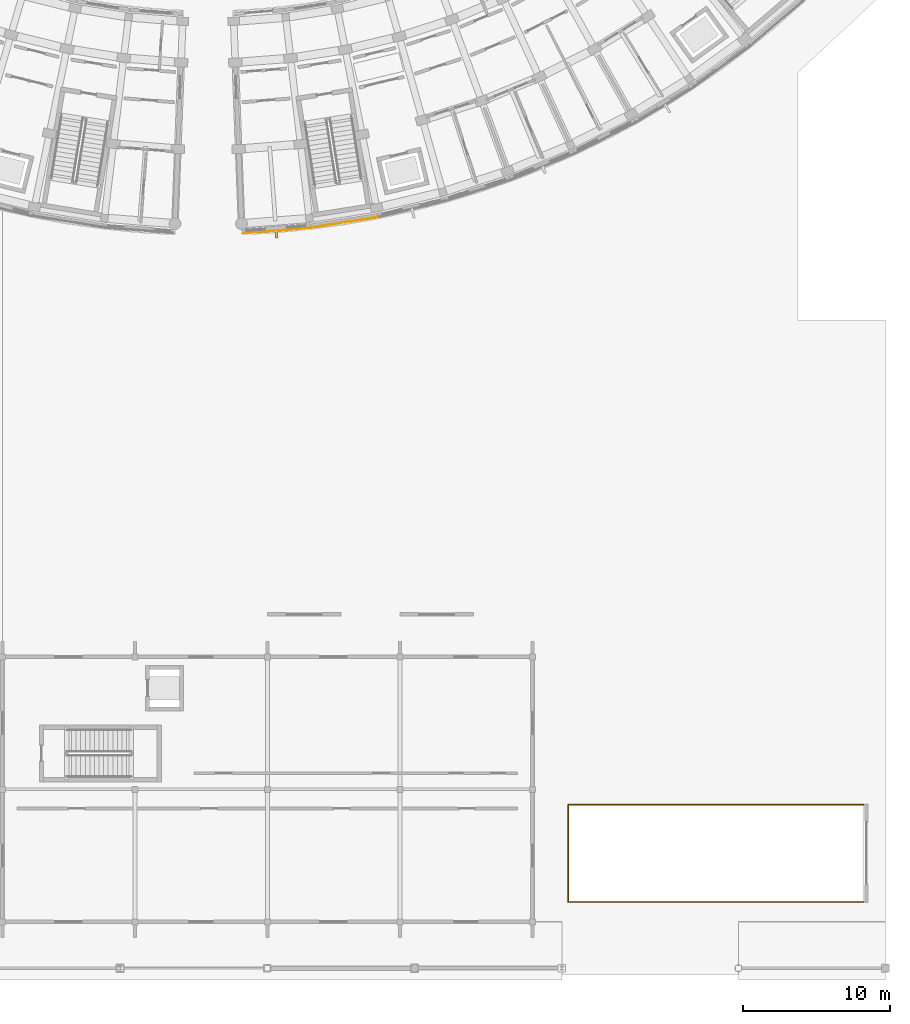
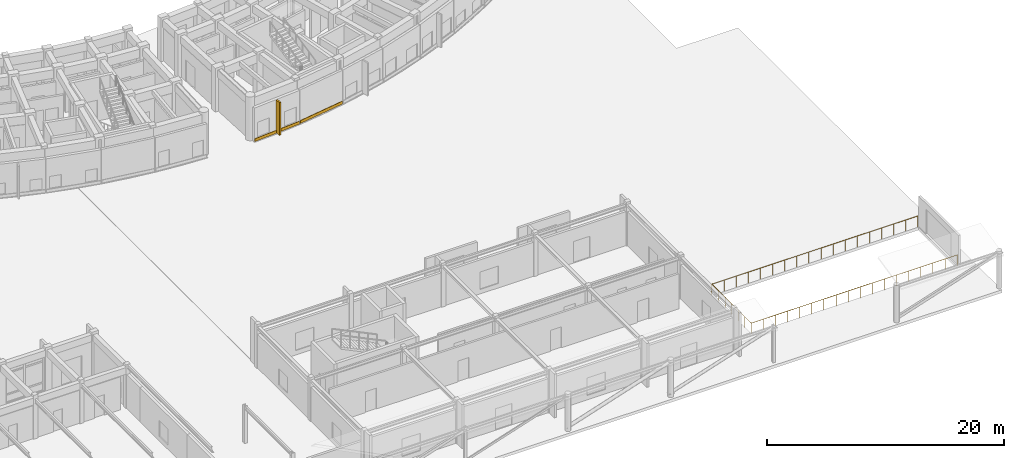
# One storey, part 58 of 61: 2 coverings, 1 railing, 1 shading device.
"""IFC4 building model written with IfcOpenShell, lengths in metres."""

import ifcopenshell
import ifcopenshell.guid

model = None  # the IFC model being written
_history = None  # IfcOwnerHistory: only IFC2X3 demands one
_inside = {}  # id of a spatial element -> (the spatial element, [elements in it])
_under = {}  # id of a project, library or spatial element -> (it, [spatial elements below it])
_declared = {}  # id of a project -> (the project, [libraries it declares])
_typed = {}  # id of a type object -> (the type object, [elements of that type])
_made_of = {}  # id of a material, layer set ... -> (it, [elements and type objects made of it])


def new_model(schema):
    """Start an empty IFC model of exactly this schema.

    Asked for "IFC4X3", IfcOpenShell would pick the latest addendum, in which some entities
    have other attributes; the version numbers below select the first issue.
    IFC2X3 requires an IfcOwnerHistory on every rooted entity: one is made here for all.
    """
    global model, _history
    if schema == "IFC4X3":
        model = ifcopenshell.file(schema_version=(4, 3, 0, 0))
    else:
        model = ifcopenshell.file(schema=schema)
    _inside.clear()
    _under.clear()
    _declared.clear()
    _typed.clear()
    _made_of.clear()
    _history = None
    if model.schema == "IFC2X3":
        org = make("IfcOrganization", Name="unknown")
        user = make(
            "IfcPersonAndOrganization",
            ThePerson=make("IfcPerson", FamilyName="unknown"),
            TheOrganization=org,
        )
        app = make(
            "IfcApplication",
            ApplicationDeveloper=org,
            Version="unknown",
            ApplicationFullName="unknown",
            ApplicationIdentifier="unknown",
        )
        _history = make(
            "IfcOwnerHistory",
            OwningUser=user,
            OwningApplication=app,
            ChangeAction="ADDED",
            CreationDate=0,
        )
    return model


def make(cls, **values):
    """One entity of the class cls with the attributes given. An attribute that is None is left unset."""
    return model.create_entity(
        cls, **{name: value for name, value in values.items() if value is not None}
    )


def rooted(cls, **values):
    """An entity with a GlobalId (a new one), such as an element, a storey or a relation."""
    return make(cls, GlobalId=ifcopenshell.guid.new(), OwnerHistory=_history, **values)


def si_unit(unit_type, name, prefix=None):
    """IfcSIUnit, for example si_unit("LENGTHUNIT", "METRE", prefix="MILLI")."""
    return make("IfcSIUnit", UnitType=unit_type, Prefix=prefix, Name=name)


def assignment(units):
    """IfcUnitAssignment: the units of a project."""
    return None if units is None else make("IfcUnitAssignment", Units=units)


def point(xyz):
    """IfcCartesianPoint."""
    return None if xyz is None else make("IfcCartesianPoint", Coordinates=xyz)


def direction(xyz):
    """IfcDirection."""
    return None if xyz is None else make("IfcDirection", DirectionRatios=xyz)


def frame(location, z_axis=None, x_axis=None):
    """IfcAxis2Placement3D, a coordinate frame: its origin and axes. An axis left out is left unset."""
    return make(
        "IfcAxis2Placement3D",
        Location=point(location),
        Axis=direction(z_axis),
        RefDirection=direction(x_axis),
    )


def frame_2d(location, x_axis=None):
    """IfcAxis2Placement2D, a coordinate frame in the plane: its origin and x axis."""
    return make(
        "IfcAxis2Placement2D", Location=point(location), RefDirection=direction(x_axis)
    )


def origin():
    """The frame at (0, 0, 0) with its axes left unset."""
    return frame((0.0, 0.0, 0.0))


def origin_2d():
    """The frame at (0, 0) in the plane with its x axis left unset."""
    return frame_2d((0.0, 0.0))


def place(relative_to, where):
    """IfcLocalPlacement: puts the frame where relative to a parent placement (None: the world)."""
    return make(
        "IfcLocalPlacement", PlacementRelTo=relative_to, RelativePlacement=where
    )


def context(
    kind, dimensions, precision=None, world=None, true_north=None, identifier=None
):
    """IfcGeometricRepresentationContext, for example the 3D "Model" context."""
    return make(
        "IfcGeometricRepresentationContext",
        ContextIdentifier=identifier,
        ContextType=kind,
        CoordinateSpaceDimension=dimensions,
        Precision=precision,
        WorldCoordinateSystem=world,
        TrueNorth=true_north,
    )


def subcontext(parent, identifier, kind, view, scale=None):
    """IfcGeometricRepresentationSubContext, for example "Body" below "Model"."""
    return make(
        "IfcGeometricRepresentationSubContext",
        ContextIdentifier=identifier,
        ContextType=kind,
        ParentContext=parent,
        TargetScale=scale,
        TargetView=view,
    )


def project(units=None, contexts=None):
    """IfcProject with its units and contexts."""
    return rooted(
        "IfcProject",
        Name="project",
        RepresentationContexts=contexts,
        UnitsInContext=assignment(units),
    )


def spatial(cls, under=None, at=None, **own):
    """A site, building, storey or space (cls), placed at a placement, below another one or the project."""
    s = rooted(cls, ObjectPlacement=at, **own)
    if under is not None:
        _under.setdefault(under.id(), (under, []))[1].append(s)
    return s


def profile(cls, at=None, kind="AREA", **sizes):
    """A parametric profile (cls). Its sizes go by their IFC names, for example OverallWidth=200.0."""
    return make(cls, ProfileType=kind, Position=at, **sizes)


def rectangle(**sizes):
    """IfcRectangleProfileDef."""
    return profile("IfcRectangleProfileDef", **sizes)


def circle(**sizes):
    """IfcCircleProfileDef."""
    return profile("IfcCircleProfileDef", **sizes)


def extrude(swept, where, along, depth):
    """IfcExtrudedAreaSolid: the profile swept, set in the frame where, extruded along a direction by depth."""
    return make(
        "IfcExtrudedAreaSolid",
        SweptArea=swept,
        Position=where,
        ExtrudedDirection=direction(along),
        Depth=depth,
    )


def shape(context_of_items, identifier, shape_type, items):
    """IfcShapeRepresentation: the items that make up one representation, for example the "Body"."""
    return make(
        "IfcShapeRepresentation",
        ContextOfItems=context_of_items,
        RepresentationIdentifier=identifier,
        RepresentationType=shape_type,
        Items=items,
    )


def material(Name=None, Category=None):
    """IfcMaterial."""
    return make("IfcMaterial", Name=Name, Category=Category)


def layer(
    of_material, thickness, ventilated=None, Name=None, Category=None, Priority=None
):
    """IfcMaterialLayer: one layer of a wall or slab, of a material (None: an air gap)."""
    return make(
        "IfcMaterialLayer",
        Material=of_material,
        LayerThickness=thickness,
        IsVentilated=ventilated,
        Name=Name,
        Category=Category,
        Priority=Priority,
    )


def layer_set(layers, Name=None):
    """IfcMaterialLayerSet."""
    return make("IfcMaterialLayerSet", MaterialLayers=layers, LayerSetName=Name)


def made_of(thing, what):
    """Note that an element or type object is made of a material, layer set ...; save() writes the relation."""
    if what is not None:
        _made_of.setdefault(what.id(), (what, []))[1].append(thing)
    return thing


def type_object(cls, material=None, **own):
    """A type object (cls), such as IfcWallType, which elements share."""
    return made_of(rooted(cls, **own), material)


def element(
    cls,
    number,
    at=None,
    inside=None,
    cuts=None,
    type_object=None,
    material=None,
    context=None,
    identifier="Body",
    shape_type=None,
    held_by="IfcProductDefinitionShape",
    body=None,
    shapes=None,
    **own,
):
    """One element of the class cls, such as IfcWall. Its Tag is "e" and its number.

    at: its placement. inside: the storey or other place that contains it. cuts: it is an
    opening in that element (IfcRelVoidsElement). A single representation is given by context,
    identifier, shape_type and body (its items); several are given by shapes. held_by: the class
    of the entity that holds the representations. save() writes the other relations.
    """
    e = rooted(cls, Tag="e%d" % number, ObjectPlacement=at, **own)
    if body is not None:
        shapes = [shape(context, identifier, shape_type, body)]
    if shapes is not None:
        e.Representation = make(held_by, Representations=shapes)
    if inside is not None:
        _inside.setdefault(inside.id(), (inside, []))[1].append(e)
    if cuts is not None:
        rooted(
            "IfcRelVoidsElement", RelatingBuildingElement=cuts, RelatedOpeningElement=e
        )
    if type_object is not None:
        _typed.setdefault(type_object.id(), (type_object, []))[1].append(e)
    return made_of(e, material)


def aggregate(whole, parts):
    """IfcRelAggregates: a whole, such as a stair, and the parts it consists of."""
    return rooted("IfcRelAggregates", RelatingObject=whole, RelatedObjects=parts)


def save(model, path):
    """Write the relations noted so far, then the file.

    IfcRelAggregates (storeys below a building ...), IfcRelContainedInSpatialStructure (elements
    in a storey), IfcRelDefinesByType, IfcRelAssociatesMaterial and IfcRelDeclares: one each for
    every whole, place, type object, material and project.
    """
    for whole, parts in _under.values():
        aggregate(whole, parts)
    for where, things in _inside.values():
        rooted(
            "IfcRelContainedInSpatialStructure",
            RelatedElements=things,
            RelatingStructure=where,
        )
    for kind, things in _typed.values():
        rooted("IfcRelDefinesByType", RelatedObjects=things, RelatingType=kind)
    for what, things in _made_of.values():
        rooted("IfcRelAssociatesMaterial", RelatedObjects=things, RelatingMaterial=what)
    for by, libraries in _declared.values():
        rooted("IfcRelDeclares", RelatingContext=by, RelatedDefinitions=libraries)
    model.write(path)


model = new_model("IFC4")

# Units and contexts
model_context = context("Model", 3, precision=1e-05, world=origin(), true_north=direction((0.0, 1.0)))
body_context = subcontext(model_context, "Body", "Model", "MODEL_VIEW")
ifc_project = project(units=[si_unit("LENGTHUNIT", "METRE"), si_unit("AREAUNIT", "SQUARE_METRE"), si_unit("VOLUMEUNIT", "CUBIC_METRE"), si_unit("PLANEANGLEUNIT", "RADIAN"), si_unit("MASSUNIT", "GRAM", prefix="KILO")], contexts=[model_context])

# Site, building, storey
site_placement = place(None, origin())
site = spatial("IfcSite", under=ifc_project, at=site_placement, CompositionType="ELEMENT")
building_placement = place(site_placement, origin())
building = spatial("IfcBuilding", under=site, at=building_placement, Name="Zimvara Arc Housing Community", CompositionType="ELEMENT")
storey_placement = place(building_placement, origin())
storey = spatial("IfcBuildingStorey", under=building, at=storey_placement, Name="L00", CompositionType="ELEMENT", Elevation=0.0)

# Coverings
ifc_material_1 = material(Name="Pale-Gold Anodised Aluminium Cladding", Category="aluminium")
ifc_layer_1 = layer(ifc_material_1, 0.0400390625)
ifc_layer_set_1 = layer_set([ifc_layer_1], Name="Pale-Gold Anodised Aluminium Cladding")
covering_type_1 = type_object("IfcCoveringType", Name="CLD-GOLD-01", PredefinedType="CLADDING", material=ifc_layer_set_1)
covering_1_placement = place(storey_placement, frame((130.595947265625, 50.546142578125, 0.009765625), z_axis=(0.0, 0.0, 1.0), x_axis=(0.996985287184, 0.077590831539, 0.0)))
element("IfcCovering", 1, at=covering_1_placement, inside=storey, type_object=covering_type_1, Name="cld:blkD:L00:out:b0", PredefinedType="CLADDING", context=body_context, shape_type="SweptSolid", body=[
    extrude(rectangle(XDim=4.5625, YDim=0.0400390625, at=origin_2d()), origin(), (0.0, 0.0, 1.0), 0.300048828125),
])
ifc_material_2 = material(Name="Pale-Gold Anodised Aluminium Cladding", Category="aluminium")
ifc_layer_2 = layer(ifc_material_2, 0.044921875)
ifc_layer_set_2 = layer_set([ifc_layer_2], Name="Pale-Gold Anodised Aluminium Cladding")
covering_type_2 = type_object("IfcCoveringType", Name="CLD-GOLD-02", PredefinedType="CLADDING", material=ifc_layer_set_2)
covering_2_placement = place(storey_placement, frame((135.23095703125, 51.119384765625, 0.009765625), z_axis=(0.0, 0.0, 1.0), x_axis=(0.987824479318, 0.155572484907, 0.0)))
element("IfcCovering", 2, at=covering_2_placement, inside=storey, type_object=covering_type_2, Name="cld:blkD:L00:out:b1", PredefinedType="CLADDING", context=body_context, shape_type="SweptSolid", body=[
    extrude(rectangle(XDim=4.5625, YDim=0.044921875, at=origin_2d()), origin(), (0.0, 0.0, 1.0), 0.300048828125),
])

# Railing
ifc_material_3 = material(Name="Anodised Aluminium AW-6063", Category="aluminium")
railing_type = type_object("IfcRailingType", Name="RLG-BAL-1150", PredefinedType="BALUSTRADE", material=ifc_material_3)
railing_placement = place(storey_placement, frame((170.5, 4.93994140625, 0.0)))
element("IfcRailing", 3, at=railing_placement, inside=storey, type_object=railing_type, Name="rlg:L00:ramp_well_guard", PredefinedType="BALUSTRADE", context=body_context, shape_type="SweptSolid", body=[
    extrude(circle(Radius=0.02392578125, at=origin_2d()), frame((0.0, 0.0, 1.1259765625), z_axis=(-1.0, 0.0, 0.0), x_axis=(0.0, -1.0, 0.0)), (0.0, 0.0, 1.0), 20.06005859375),
    extrude(circle(Radius=0.02392578125, at=origin_2d()), frame((-20.06005859375, 0.0, 1.1259765625), z_axis=(0.0, 1.0, 0.0), x_axis=(-1.0, 0.0, 0.0)), (0.0, 0.0, 1.0), 6.6201171875),
    extrude(circle(Radius=0.02392578125, at=origin_2d()), frame((-20.06005859375, 6.6201171875, 1.1259765625), z_axis=(1.0, 0.0, 0.0), x_axis=(0.0, 1.0, 0.0)), (0.0, 0.0, 1.0), 20.06005859375),
    extrude(circle(Radius=0.02099609375, at=origin_2d()), origin(), (0.0, 0.0, 1.0), 1.101806640625),
    extrude(circle(Radius=0.02099609375, at=origin_2d()), frame((-1.179931640625, 0.0, 0.0)), (0.0, 0.0, 1.0), 1.101806640625),
    extrude(circle(Radius=0.02099609375, at=origin_2d()), frame((-2.360107421875, 0.0, 0.0)), (0.0, 0.0, 1.0), 1.101806640625),
    extrude(circle(Radius=0.02099609375, at=origin_2d()), frame((-3.5400390625, 0.0, 0.0)), (0.0, 0.0, 1.0), 1.101806640625),
    extrude(circle(Radius=0.02099609375, at=origin_2d()), frame((-4.719970703125, 0.0, 0.0)), (0.0, 0.0, 1.0), 1.101806640625),
    extrude(circle(Radius=0.02099609375, at=origin_2d()), frame((-5.89990234375, 0.0, 0.0)), (0.0, 0.0, 1.0), 1.101806640625),
    extrude(circle(Radius=0.02099609375, at=origin_2d()), frame((-7.080078125, 0.0, 0.0)), (0.0, 0.0, 1.0), 1.101806640625),
    extrude(circle(Radius=0.02099609375, at=origin_2d()), frame((-8.260009765625, 0.0, 0.0)), (0.0, 0.0, 1.0), 1.101806640625),
    extrude(circle(Radius=0.02099609375, at=origin_2d()), frame((-9.43994140625, 0.0, 0.0)), (0.0, 0.0, 1.0), 1.101806640625),
    extrude(circle(Radius=0.02099609375, at=origin_2d()), frame((-10.6201171875, 0.0, 0.0)), (0.0, 0.0, 1.0), 1.101806640625),
    extrude(circle(Radius=0.02099609375, at=origin_2d()), frame((-11.800048828125, 0.0, 0.0)), (0.0, 0.0, 1.0), 1.101806640625),
    extrude(circle(Radius=0.02099609375, at=origin_2d()), frame((-12.97998046875, 0.0, 0.0)), (0.0, 0.0, 1.0), 1.101806640625),
    extrude(circle(Radius=0.02099609375, at=origin_2d()), frame((-14.16015625, 0.0, 0.0)), (0.0, 0.0, 1.0), 1.101806640625),
    extrude(circle(Radius=0.02099609375, at=origin_2d()), frame((-15.340087890625, 0.0, 0.0)), (0.0, 0.0, 1.0), 1.101806640625),
    extrude(circle(Radius=0.02099609375, at=origin_2d()), frame((-16.52001953125, 0.0, 0.0)), (0.0, 0.0, 1.0), 1.101806640625),
    extrude(circle(Radius=0.02099609375, at=origin_2d()), frame((-17.699951171875, 0.0, 0.0)), (0.0, 0.0, 1.0), 1.101806640625),
    extrude(circle(Radius=0.02099609375, at=origin_2d()), frame((-18.880126953125, 0.0, 0.0)), (0.0, 0.0, 1.0), 1.101806640625),
    extrude(circle(Radius=0.02099609375, at=origin_2d()), frame((-20.06005859375, 0.0, 0.0)), (0.0, 0.0, 1.0), 1.101806640625),
    extrude(circle(Radius=0.02099609375, at=origin_2d()), frame((-20.06005859375, 1.103271484375, 0.0)), (0.0, 0.0, 1.0), 1.101806640625),
    extrude(circle(Radius=0.02099609375, at=origin_2d()), frame((-20.06005859375, 2.206787109375, 0.0)), (0.0, 0.0, 1.0), 1.101806640625),
    extrude(circle(Radius=0.02099609375, at=origin_2d()), frame((-20.06005859375, 3.31005859375, 0.0)), (0.0, 0.0, 1.0), 1.101806640625),
    extrude(circle(Radius=0.02099609375, at=origin_2d()), frame((-20.06005859375, 4.413330078125, 0.0)), (0.0, 0.0, 1.0), 1.101806640625),
    extrude(circle(Radius=0.02099609375, at=origin_2d()), frame((-20.06005859375, 5.516845703125, 0.0)), (0.0, 0.0, 1.0), 1.101806640625),
    extrude(circle(Radius=0.02099609375, at=origin_2d()), frame((-20.06005859375, 6.6201171875, 0.0)), (0.0, 0.0, 1.0), 1.101806640625),
    extrude(circle(Radius=0.02099609375, at=origin_2d()), frame((-18.880126953125, 6.6201171875, 0.0)), (0.0, 0.0, 1.0), 1.101806640625),
    extrude(circle(Radius=0.02099609375, at=origin_2d()), frame((-17.699951171875, 6.6201171875, 0.0)), (0.0, 0.0, 1.0), 1.101806640625),
    extrude(circle(Radius=0.02099609375, at=origin_2d()), frame((-16.52001953125, 6.6201171875, 0.0)), (0.0, 0.0, 1.0), 1.101806640625),
    extrude(circle(Radius=0.02099609375, at=origin_2d()), frame((-15.340087890625, 6.6201171875, 0.0)), (0.0, 0.0, 1.0), 1.101806640625),
    extrude(circle(Radius=0.02099609375, at=origin_2d()), frame((-14.16015625, 6.6201171875, 0.0)), (0.0, 0.0, 1.0), 1.101806640625),
    extrude(circle(Radius=0.02099609375, at=origin_2d()), frame((-12.97998046875, 6.6201171875, 0.0)), (0.0, 0.0, 1.0), 1.101806640625),
    extrude(circle(Radius=0.02099609375, at=origin_2d()), frame((-11.800048828125, 6.6201171875, 0.0)), (0.0, 0.0, 1.0), 1.101806640625),
    extrude(circle(Radius=0.02099609375, at=origin_2d()), frame((-10.6201171875, 6.6201171875, 0.0)), (0.0, 0.0, 1.0), 1.101806640625),
    extrude(circle(Radius=0.02099609375, at=origin_2d()), frame((-9.43994140625, 6.6201171875, 0.0)), (0.0, 0.0, 1.0), 1.101806640625),
    extrude(circle(Radius=0.02099609375, at=origin_2d()), frame((-8.260009765625, 6.6201171875, 0.0)), (0.0, 0.0, 1.0), 1.101806640625),
    extrude(circle(Radius=0.02099609375, at=origin_2d()), frame((-7.080078125, 6.6201171875, 0.0)), (0.0, 0.0, 1.0), 1.101806640625),
    extrude(circle(Radius=0.02099609375, at=origin_2d()), frame((-5.89990234375, 6.6201171875, 0.0)), (0.0, 0.0, 1.0), 1.101806640625),
    extrude(circle(Radius=0.02099609375, at=origin_2d()), frame((-4.719970703125, 6.6201171875, 0.0)), (0.0, 0.0, 1.0), 1.101806640625),
    extrude(circle(Radius=0.02099609375, at=origin_2d()), frame((-3.5400390625, 6.6201171875, 0.0)), (0.0, 0.0, 1.0), 1.101806640625),
    extrude(circle(Radius=0.02099609375, at=origin_2d()), frame((-2.360107421875, 6.6201171875, 0.0)), (0.0, 0.0, 1.0), 1.101806640625),
    extrude(circle(Radius=0.02099609375, at=origin_2d()), frame((-1.179931640625, 6.6201171875, 0.0)), (0.0, 0.0, 1.0), 1.101806640625),
    extrude(circle(Radius=0.02099609375, at=origin_2d()), frame((0.0, 6.6201171875, 0.0)), (0.0, 0.0, 1.0), 1.101806640625),
])

# Shading device
ifc_material_4 = material(Name="Board-Marked Fair-Faced Concrete C40/50", Category="concrete")
shading_device_type = type_object("IfcShadingDeviceType", Name="SHD-FIN-04", PredefinedType="JALOUSIE", material=ifc_material_4)
shading_device_placement = place(storey_placement, frame((130.61376953125, 50.31787109375, 0.0400390625), z_axis=(0.0, 0.0, 1.0), x_axis=(0.996985287184, 0.077590831539, 0.0)))
element("IfcShadingDevice", 4, at=shading_device_placement, inside=storey, type_object=shading_device_type, Name="fin:blkD:L00:out:b0", PredefinedType="JALOUSIE", context=body_context, shape_type="SweptSolid", body=[
    extrude(rectangle(XDim=0.14990234375, YDim=0.5, at=origin_2d()), origin(), (0.0, 0.0, 1.0), 3.3701171875),
])

save(model, "model.ifc")
